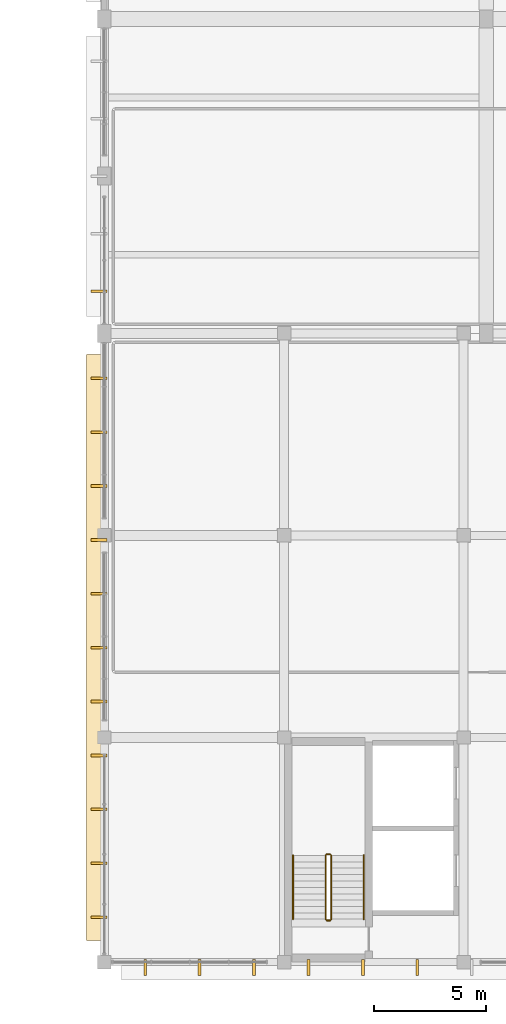
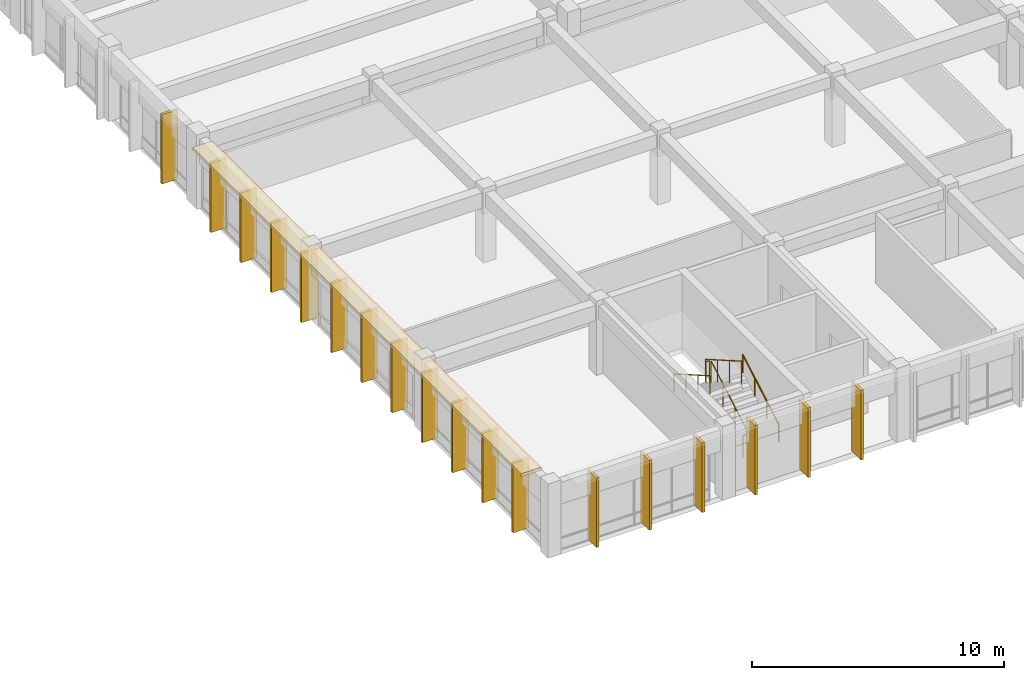
# One storey, part 131 of 155: 19 coverings, 6 railings.
"""IFC4 building model written with IfcOpenShell, lengths in metres."""

from ifc_helpers import new_model, si_unit, direction, frame, origin, origin_2d, place, context, subcontext, project, spatial, rectangle, circle, extrude, material, layer, layer_set, type_object, element, save


model = new_model("IFC4")

# Units and contexts
model_context = context("Model", 3, precision=1e-05, world=origin(), true_north=direction((0.0, 1.0)))
body_context = subcontext(model_context, "Body", "Model", "MODEL_VIEW")
ifc_project = project(units=[si_unit("LENGTHUNIT", "METRE"), si_unit("AREAUNIT", "SQUARE_METRE"), si_unit("VOLUMEUNIT", "CUBIC_METRE"), si_unit("PLANEANGLEUNIT", "RADIAN"), si_unit("MASSUNIT", "GRAM", prefix="KILO")], contexts=[model_context])

# Site, building, storey
site_placement = place(None, origin())
site = spatial("IfcSite", under=ifc_project, at=site_placement, CompositionType="ELEMENT")
building_placement = place(site_placement, origin())
building = spatial("IfcBuilding", under=site, at=building_placement, Name="Larkveld Mobility Hub", CompositionType="ELEMENT")
storey_placement = place(building_placement, frame((0.0, 0.0, 8.39990234375)))
storey = spatial("IfcBuildingStorey", under=building, at=storey_placement, Name="L02", CompositionType="ELEMENT", Elevation=8.39990234375)

# Coverings
ifc_material_1 = material(Name="Precast concrete C50/60", Category="concrete")
ifc_layer_1 = layer(ifc_material_1, 0.14990234375, Name="Precast concrete C50/60", Category="concrete")
ifc_layer_set_1 = layer_set([ifc_layer_1], Name="Precast concrete C50/60")
covering_type_1 = type_object("IfcCoveringType", Name="COV-QSL-H01", PredefinedType="CLADDING", material=ifc_layer_set_1)
covering_placement = place(storey_placement, frame((111.659912109375, 14.0, 3.3701171875), z_axis=(0.0, 0.0, 1.0), x_axis=(0.0, -1.0, 0.0)))
element("IfcCovering", 1, at=covering_placement, inside=storey, type_object=covering_type_1, Name="Precast Quebra-Sol Horizontal Sunbreaker QSH-288", PredefinedType="CLADDING", context=body_context, shape_type="SweptSolid", body=[
    extrude(rectangle(XDim=26.10009765625, YDim=0.919921875, at=origin_2d()), origin(), (0.0, 0.0, 1.0), 0.14990234375),
])
ifc_layer_2 = layer(ifc_material_1, 0.1201171875, Name="Precast concrete C50/60", Category="concrete")
ifc_layer_set_2 = layer_set([ifc_layer_2], Name="Precast concrete C50/60")
covering_type_2 = type_object("IfcCoveringType", Name="COV-QSL-V01", PredefinedType="CLADDING", material=ifc_layer_set_2)
for number, where, z_axis, x_axis, name in (
    (2, (113.81201171875, -0.239990234375, -0.019287109375), (0.0, 0.0, 1.0), (1.0, 0.0, 0.0), "Precast Quebra-Sol Vertical Fin QSV-247"),
    (3, (116.237060546875, -0.239990234375, -0.019287109375), (0.0, 0.0, 1.0), (1.0, 0.0, 0.0), "Precast Quebra-Sol Vertical Fin QSV-248"),
    (4, (118.662109375, -0.239990234375, -0.019287109375), (0.0, 0.0, 1.0), (1.0, 0.0, 0.0), "Precast Quebra-Sol Vertical Fin QSV-249"),
    (5, (121.0869140625, -0.239990234375, -0.019287109375), (0.0, 0.0, 1.0), (1.0, 0.0, 0.0), "Precast Quebra-Sol Vertical Fin QSV-250"),
    (6, (123.512939453125, -0.239990234375, -0.019287109375), (0.0, 0.0, 1.0), (1.0, 0.0, 0.0), "Precast Quebra-Sol Vertical Fin QSV-251"),
    (7, (125.93798828125, -0.239990234375, -0.019287109375), (0.0, 0.0, 1.0), (1.0, 0.0, 0.0), "Precast Quebra-Sol Vertical Fin QSV-252"),
    (8, (111.760009765625, 26.0, -0.019287109375), (0.0, 0.0, 1.0), (0.0, -1.0, 0.0), "Precast Quebra-Sol Vertical Fin QSV-289"),
    (9, (111.760009765625, 23.60009765625, -0.019287109375), (0.0, 0.0, 1.0), (0.0, -1.0, 0.0), "Precast Quebra-Sol Vertical Fin QSV-290"),
    (10, (111.760009765625, 21.199951171875, -0.019287109375), (0.0, 0.0, 1.0), (0.0, -1.0, 0.0), "Precast Quebra-Sol Vertical Fin QSV-291"),
    (11, (111.760009765625, 18.800048828125, -0.019287109375), (0.0, 0.0, 1.0), (0.0, -1.0, 0.0), "Precast Quebra-Sol Vertical Fin QSV-292"),
    (12, (111.760009765625, 16.39990234375, -0.019287109375), (0.0, 0.0, 1.0), (0.0, -1.0, 0.0), "Precast Quebra-Sol Vertical Fin QSV-293"),
    (13, (111.760009765625, 14.0, -0.019287109375), (0.0, 0.0, 1.0), (0.0, -1.0, 0.0), "Precast Quebra-Sol Vertical Fin QSV-294"),
    (14, (111.760009765625, 11.60009765625, -0.019287109375), (0.0, 0.0, 1.0), (0.0, -1.0, 0.0), "Precast Quebra-Sol Vertical Fin QSV-295"),
    (15, (111.760009765625, 9.199951171875, -0.019287109375), (0.0, 0.0, 1.0), (0.0, -1.0, 0.0), "Precast Quebra-Sol Vertical Fin QSV-296"),
    (16, (111.760009765625, 6.800048828125, -0.019287109375), (0.0, 0.0, 1.0), (0.0, -1.0, 0.0), "Precast Quebra-Sol Vertical Fin QSV-297"),
    (17, (111.760009765625, 4.39990234375, -0.019287109375), (0.0, 0.0, 1.0), (0.0, -1.0, 0.0), "Precast Quebra-Sol Vertical Fin QSV-298"),
    (18, (111.760009765625, 2.0, -0.019287109375), (0.0, 0.0, 1.0), (0.0, -1.0, 0.0), "Precast Quebra-Sol Vertical Fin QSV-299"),
    (19, (111.760009765625, 29.8798828125, -0.019287109375), (0.0, 0.0, 1.0), (0.0, -1.0, 0.0), "Precast Quebra-Sol Vertical Fin QSV-454"),
):
    element("IfcCovering", number, at=place(storey_placement, frame(where, z_axis=z_axis, x_axis=x_axis)), inside=storey, type_object=covering_type_2, Name=name, PredefinedType="CLADDING", context=body_context, shape_type="SweptSolid", body=[
        extrude(rectangle(XDim=0.1201171875, YDim=0.719970703125, at=origin_2d()), origin(), (0.0, 0.0, 1.0), 3.375),
    ])

# Railings
ifc_material_2 = material(Name="Galvanized Steel S355JR balustrade", Category="steel")
railing_type_1 = type_object("IfcRailingType", Name="RL-GRD-1100", PredefinedType="GUARDRAIL", material=ifc_material_2)
railing_1_placement = place(storey_placement, frame((122.10009765625, 1.89990234375, 0.163818359375)))
element("IfcRailing", 20, at=railing_1_placement, inside=storey, type_object=railing_type_1, Name="L02 ST4 stair guard 1", PredefinedType="GUARDRAIL", context=body_context, shape_type="SweptSolid", body=[
    extrude(circle(Radius=0.02392578125, at=origin_2d()), frame((0.0, 0.0, 1.076171875), z_axis=(0.0, 0.867244780686, 0.497882004468), x_axis=(-1.0, 0.0, 0.0)), (0.0, 0.0, 1.0), 3.286376953125),
    extrude(circle(Radius=0.02099609375, at=origin_2d()), origin(), (0.0, 0.0, 1.0), 1.052001953125),
    extrude(circle(Radius=0.02099609375, at=origin_2d()), frame((0.0, 0.949951171875, 0.54541015625)), (0.0, 0.0, 1.0), 1.052001953125),
    extrude(circle(Radius=0.02099609375, at=origin_2d()), frame((0.0, 1.900146484375, 1.0908203125)), (0.0, 0.0, 1.0), 1.052001953125),
    extrude(circle(Radius=0.02099609375, at=origin_2d()), frame((0.0, 2.85009765625, 1.63623046875)), (0.0, 0.0, 1.0), 1.052001953125),
])
railing_2_placement = place(storey_placement, frame((122.050048828125, 4.800048828125, 1.800048828125)))
element("IfcRailing", 21, at=railing_2_placement, inside=storey, type_object=railing_type_1, Name="L02 ST4 stair guard 2", PredefinedType="GUARDRAIL", context=body_context, shape_type="SweptSolid", body=[
    extrude(circle(Radius=0.02392578125, at=origin_2d()), frame((0.0, 0.0, 1.076171875), z_axis=(-1.0, 0.0, 0.0), x_axis=(0.0, -1.0, 0.0)), (0.0, 0.0, 1.0), 0.150146484375),
    extrude(circle(Radius=0.02099609375, at=origin_2d()), origin(), (0.0, 0.0, 1.0), 1.052001953125),
    extrude(circle(Radius=0.02099609375, at=origin_2d()), frame((-0.150146484375, 0.0, 0.0)), (0.0, 0.0, 1.0), 1.052001953125),
])
railing_3_placement = place(storey_placement, frame((121.85009765625, 4.75, 1.963623046875)))
element("IfcRailing", 22, at=railing_3_placement, inside=storey, type_object=railing_type_1, Name="L02 ST4 stair guard 3", PredefinedType="GUARDRAIL", context=body_context, shape_type="SweptSolid", body=[
    extrude(circle(Radius=0.02392578125, at=origin_2d()), frame((0.0, 0.0, 1.076171875), z_axis=(0.0, -0.86721270334, 0.497937874806), x_axis=(1.0, 0.0, 0.0)), (0.0, 0.0, 1.0), 3.28662109375),
    extrude(circle(Radius=0.02099609375, at=origin_2d()), origin(), (0.0, 0.0, 1.0), 1.052001953125),
    extrude(circle(Radius=0.02099609375, at=origin_2d()), frame((0.0, -0.949951171875, 0.54541015625)), (0.0, 0.0, 1.0), 1.052001953125),
    extrude(circle(Radius=0.02099609375, at=origin_2d()), frame((0.0, -1.900146484375, 1.091064453125)), (0.0, 0.0, 1.0), 1.052001953125),
    extrude(circle(Radius=0.02099609375, at=origin_2d()), frame((0.0, -2.85009765625, 1.636474609375)), (0.0, 0.0, 1.0), 1.052001953125),
])
railing_4_placement = place(storey_placement, frame((122.050048828125, 1.85009765625, 0.0)))
element("IfcRailing", 23, at=railing_4_placement, inside=storey, type_object=railing_type_1, Name="L02 ST4 stair guard 4", PredefinedType="GUARDRAIL", context=body_context, shape_type="SweptSolid", body=[
    extrude(circle(Radius=0.02392578125, at=origin_2d()), frame((0.0, 0.0, 1.076171875), z_axis=(-1.0, 0.0, 0.0), x_axis=(0.0, -1.0, 0.0)), (0.0, 0.0, 1.0), 0.150146484375),
    extrude(circle(Radius=0.02099609375, at=origin_2d()), origin(), (0.0, 0.0, 1.0), 1.052001953125),
    extrude(circle(Radius=0.02099609375, at=origin_2d()), frame((-0.150146484375, 0.0, 0.0)), (0.0, 0.0, 1.0), 1.052001953125),
])
ifc_material_3 = material(Name="Brushed Steel S355JR tubular handrail", Category="steel")
railing_type_2 = type_object("IfcRailingType", Name="RL-HND-0900", PredefinedType="HANDRAIL", material=ifc_material_3)
railing_5_placement = place(storey_placement, frame((123.550048828125, 1.89990234375, 0.163818359375)))
element("IfcRailing", 24, at=railing_5_placement, inside=storey, type_object=railing_type_2, Name="L02 ST4 stair handrail 1", PredefinedType="HANDRAIL", context=body_context, shape_type="SweptSolid", body=[
    extrude(circle(Radius=0.02392578125, at=origin_2d()), frame((0.0, 0.0, 0.8759765625), z_axis=(0.0, 0.867244780686, 0.497882004468), x_axis=(-1.0, 0.0, 0.0)), (0.0, 0.0, 1.0), 3.286376953125),
    extrude(circle(Radius=0.02099609375, at=origin_2d()), origin(), (0.0, 0.0, 1.0), 0.851806640625),
    extrude(circle(Radius=0.02099609375, at=origin_2d()), frame((0.0, 0.949951171875, 0.54541015625)), (0.0, 0.0, 1.0), 0.851806640625),
    extrude(circle(Radius=0.02099609375, at=origin_2d()), frame((0.0, 1.900146484375, 1.0908203125)), (0.0, 0.0, 1.0), 0.851806640625),
    extrude(circle(Radius=0.02099609375, at=origin_2d()), frame((0.0, 2.85009765625, 1.63623046875)), (0.0, 0.0, 1.0), 0.851806640625),
])
railing_6_placement = place(storey_placement, frame((120.39990234375, 4.75, 1.963623046875)))
element("IfcRailing", 25, at=railing_6_placement, inside=storey, type_object=railing_type_2, Name="L02 ST4 stair handrail 2", PredefinedType="HANDRAIL", context=body_context, shape_type="SweptSolid", body=[
    extrude(circle(Radius=0.02392578125, at=origin_2d()), frame((0.0, 0.0, 0.8759765625), z_axis=(0.0, -0.86721270334, 0.497937874806), x_axis=(1.0, 0.0, 0.0)), (0.0, 0.0, 1.0), 3.28662109375),
    extrude(circle(Radius=0.02099609375, at=origin_2d()), origin(), (0.0, 0.0, 1.0), 0.851806640625),
    extrude(circle(Radius=0.02099609375, at=origin_2d()), frame((0.0, -0.949951171875, 0.54541015625)), (0.0, 0.0, 1.0), 0.851806640625),
    extrude(circle(Radius=0.02099609375, at=origin_2d()), frame((0.0, -1.900146484375, 1.091064453125)), (0.0, 0.0, 1.0), 0.851806640625),
    extrude(circle(Radius=0.02099609375, at=origin_2d()), frame((0.0, -2.85009765625, 1.636474609375)), (0.0, 0.0, 1.0), 0.851806640625),
])

save(model, "model.ifc")
